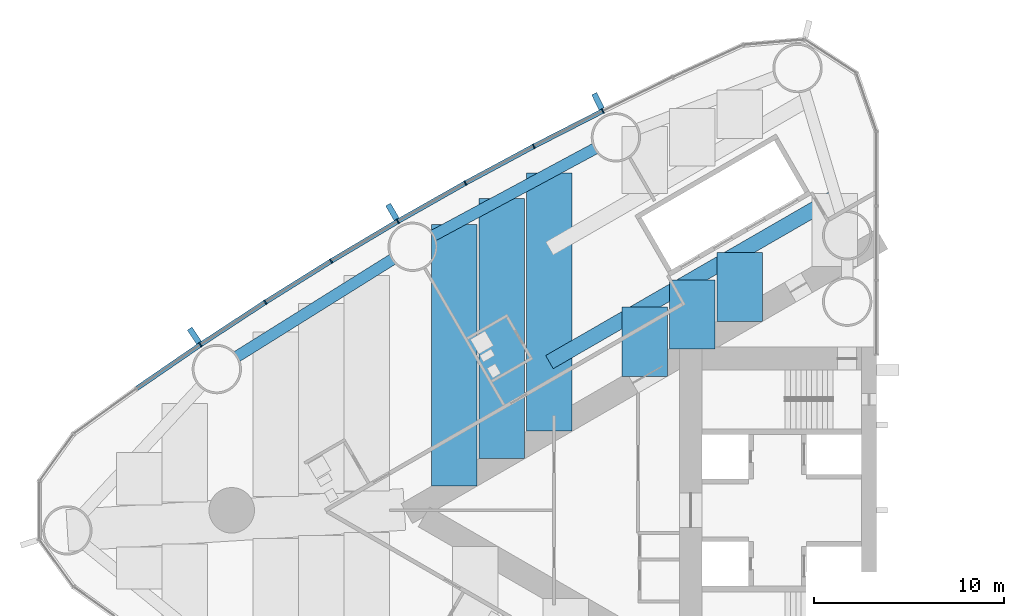
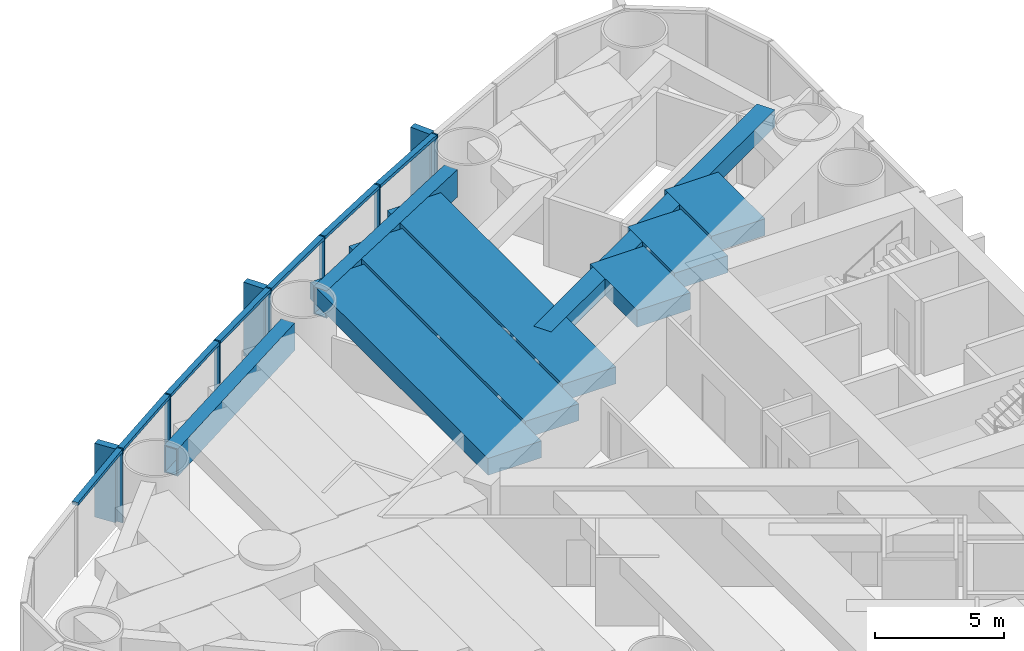
# One storey, part 4 of 19: 17 members, 9 beams, 1 element without a shape of its own.
"""IFC4 building model written with IfcOpenShell, lengths in metres."""

from ifc_helpers import new_model, si_unit, direction, frame, origin, origin_2d, place, context, subcontext, project, spatial, rectangle, hollow_rectangle, extrude, material, material_profile, profile_set, type_object, element, aggregate, save


model = new_model("IFC4")

# Units and contexts
model_context = context("Model", 3, precision=1e-05, world=origin(), true_north=direction((0.0, 1.0)))
body_context = subcontext(model_context, "Body", "Model", "MODEL_VIEW")
ifc_project = project(units=[si_unit("LENGTHUNIT", "METRE"), si_unit("AREAUNIT", "SQUARE_METRE"), si_unit("VOLUMEUNIT", "CUBIC_METRE"), si_unit("PLANEANGLEUNIT", "RADIAN"), si_unit("MASSUNIT", "GRAM", prefix="KILO")], contexts=[model_context])

# Site, building, storey
site_placement = place(None, origin())
site = spatial("IfcSite", under=ifc_project, at=site_placement, CompositionType="ELEMENT")
building_placement = place(site_placement, origin())
building = spatial("IfcBuilding", under=site, at=building_placement, Name="Lancet Gate Hotel", CompositionType="ELEMENT")
storey_placement = place(building_placement, frame((0.0, 0.0, 90.60009765625)))
storey = spatial("IfcBuildingStorey", under=building, at=storey_placement, Name="L23", CompositionType="ELEMENT", Elevation=90.60009765625)

# Curtain wall, members
ifc_material_1 = material(Name="Aluminium curtain wall", Category="aluminium")
curtain_wall_type = type_object("IfcCurtainWallType", Name="Tower unitised curtain wall", PredefinedType="USERDEFINED", material=ifc_material_1)
curtain_wall_placement = place(storey_placement, origin())
curtain_wall = element("IfcCurtainWall", 1, at=curtain_wall_placement, inside=storey, type_object=curtain_wall_type, Name="T1 L23 curtain wall 1", ObjectType="UNITISED CURTAIN WALL", PredefinedType="USERDEFINED")
ifc_material_2 = material(Name="Aluminium mullion", Category="aluminium")
ifc_material_profile_1 = material_profile(ifc_material_2, rectangle(XDim=0.06494140625, YDim=0.25, at=origin_2d()), Name="MULLION 65x250")
ifc_profile_set_1 = profile_set([ifc_material_profile_1], Name="Aluminium mullion")
member_type_1 = type_object("IfcMemberType", Name="Aluminium mullion 65x250", PredefinedType="MULLION", material=ifc_profile_set_1)
member_1_placement = place(storey_placement, frame((-41.935302734375, 21.053466796875, 0.0), z_axis=(0.0, 0.0, 1.0), x_axis=(-0.895339445458, -0.445384415317, 0.0)))
member_1 = element("IfcMember", 2, at=member_1_placement, type_object=member_type_1, Name="T1 L23 curtain wall 1 mullion 9", PredefinedType="MULLION", context=body_context, shape_type="SweptSolid", body=[
    extrude(rectangle(XDim=0.06494140625, YDim=0.25, at=origin_2d()), origin(), (0.0, 0.0, 1.0), 3.5),
])
member_2_placement = place(storey_placement, frame((-45.578857421875, 19.19189453125, 0.0), z_axis=(0.0, 0.0, 1.0), x_axis=(-0.885544335517, -0.46455487279, 0.0)))
member_2 = element("IfcMember", 3, at=member_2_placement, type_object=member_type_1, Name="T1 L23 curtain wall 1 mullion 10", PredefinedType="MULLION", context=body_context, shape_type="SweptSolid", body=[
    extrude(rectangle(XDim=0.06494140625, YDim=0.25, at=origin_2d()), origin(), (0.0, 0.0, 1.0), 3.5),
])
member_3_placement = place(storey_placement, frame((-49.181640625, 17.252197265625, 0.0), z_axis=(0.0, 0.0, 1.0), x_axis=(-0.875338819507, -0.48351003202, 0.0)))
member_3 = element("IfcMember", 4, at=member_3_placement, type_object=member_type_1, Name="T1 L23 curtain wall 1 mullion 11", PredefinedType="MULLION", context=body_context, shape_type="SweptSolid", body=[
    extrude(rectangle(XDim=0.06494140625, YDim=0.25, at=origin_2d()), origin(), (0.0, 0.0, 1.0), 3.5),
])
member_4_placement = place(storey_placement, frame((-52.74169921875, 15.2353515625, 0.0), z_axis=(0.0, 0.0, 1.0), x_axis=(-0.86472762718, -0.502241108226, 0.0)))
member_4 = element("IfcMember", 5, at=member_4_placement, type_object=member_type_1, Name="T1 L23 curtain wall 1 mullion 12", PredefinedType="MULLION", context=body_context, shape_type="SweptSolid", body=[
    extrude(rectangle(XDim=0.06494140625, YDim=0.25, at=origin_2d()), origin(), (0.0, 0.0, 1.0), 3.5),
])
member_5_placement = place(storey_placement, frame((-56.257568359375, 13.142333984375, 0.0), z_axis=(0.0, 0.0, 1.0), x_axis=(-0.853715676299, -0.52073942048, 0.0)))
member_5 = element("IfcMember", 6, at=member_5_placement, type_object=member_type_1, Name="T1 L23 curtain wall 1 mullion 13", PredefinedType="MULLION", context=body_context, shape_type="SweptSolid", body=[
    extrude(rectangle(XDim=0.06494140625, YDim=0.25, at=origin_2d()), origin(), (0.0, 0.0, 1.0), 3.5),
])
member_6_placement = place(storey_placement, frame((-59.7275390625, 10.974365234375, 0.0), z_axis=(0.0, 0.0, 1.0), x_axis=(-0.84230807036, -0.538996395727, 0.0)))
member_6 = element("IfcMember", 7, at=member_6_placement, type_object=member_type_1, Name="T1 L23 curtain wall 1 mullion 14", PredefinedType="MULLION", context=body_context, shape_type="SweptSolid", body=[
    extrude(rectangle(XDim=0.06494140625, YDim=0.25, at=origin_2d()), origin(), (0.0, 0.0, 1.0), 3.5),
])
member_7_placement = place(storey_placement, frame((-63.14990234375, 8.73193359375, 0.0), z_axis=(0.0, 0.0, 1.0), x_axis=(-0.830510096234, -0.557003572747, 0.0)))
member_7 = element("IfcMember", 8, at=member_7_placement, type_object=member_type_1, Name="T1 L23 curtain wall 1 mullion 15", PredefinedType="MULLION", context=body_context, shape_type="SweptSolid", body=[
    extrude(rectangle(XDim=0.06494140625, YDim=0.25, at=origin_2d()), origin(), (0.0, 0.0, 1.0), 3.5),
])
ifc_material_3 = material(Name="Aluminium transom", Category="aluminium")
ifc_material_profile_2 = material_profile(ifc_material_3, rectangle(XDim=0.25, YDim=0.14990234375, at=origin_2d()), Name="TRANSOM 250x150")
ifc_profile_set_2 = profile_set([ifc_material_profile_2], Name="Aluminium transom")
member_type_2 = type_object("IfcMemberType", Name="Aluminium transom 250x150", PredefinedType="USERDEFINED", material=ifc_profile_set_2)
member_8_placement = place(storey_placement, frame((-41.96435546875, 21.038818359375, 3.4248046875), z_axis=(-0.89047617483, -0.455029869415, 0.0), x_axis=(0.455029869415, -0.89047617483, 0.0)))
member_8 = element("IfcMember", 9, at=member_8_placement, type_object=member_type_2, Name="T1 L23 curtain wall 1 transom 9", ObjectType="TRANSOM", PredefinedType="USERDEFINED", context=body_context, shape_type="SweptSolid", body=[
    extrude(rectangle(XDim=0.25, YDim=0.14990234375, at=origin_2d()), origin(), (0.0, 0.0, 1.0), 4.026611328125),
])
member_9_placement = place(storey_placement, frame((-45.607421875, 19.176513671875, 3.4248046875), z_axis=(-0.880498353192, -0.474049206335, 0.0), x_axis=(0.474049206335, -0.880498353192, 0.0)))
member_9 = element("IfcMember", 10, at=member_9_placement, type_object=member_type_2, Name="T1 L23 curtain wall 1 transom 10", ObjectType="TRANSOM", PredefinedType="USERDEFINED", context=body_context, shape_type="SweptSolid", body=[
    extrude(rectangle(XDim=0.25, YDim=0.14990234375, at=origin_2d()), origin(), (0.0, 0.0, 1.0), 4.02685546875),
])
member_10_placement = place(storey_placement, frame((-49.2099609375, 17.236083984375, 3.4248046875), z_axis=(-0.870091531013, -0.492890178091, 0.0), x_axis=(0.492890178091, -0.870091531013, 0.0)))
member_10 = element("IfcMember", 11, at=member_10_placement, type_object=member_type_2, Name="T1 L23 curtain wall 1 transom 11", ObjectType="TRANSOM", PredefinedType="USERDEFINED", context=body_context, shape_type="SweptSolid", body=[
    extrude(rectangle(XDim=0.25, YDim=0.14990234375, at=origin_2d()), origin(), (0.0, 0.0, 1.0), 4.026611328125),
])
member_11_placement = place(storey_placement, frame((-52.76953125, 15.21875, 3.4248046875), z_axis=(-0.859285270342, -0.511496651186, 0.0), x_axis=(0.511496651186, -0.859285270342, 0.0)))
member_11 = element("IfcMember", 12, at=member_11_placement, type_object=member_type_2, Name="T1 L23 curtain wall 1 transom 12", ObjectType="TRANSOM", PredefinedType="USERDEFINED", context=body_context, shape_type="SweptSolid", body=[
    extrude(rectangle(XDim=0.25, YDim=0.14990234375, at=origin_2d()), origin(), (0.0, 0.0, 1.0), 4.026611328125),
])
member_12_placement = place(storey_placement, frame((-56.28515625, 13.125244140625, 3.4248046875), z_axis=(-0.848049393821, -0.529917187531, 0.0), x_axis=(0.529917187531, -0.848049393821, 0.0)))
member_12 = element("IfcMember", 13, at=member_12_placement, type_object=member_type_2, Name="T1 L23 curtain wall 1 transom 13", ObjectType="TRANSOM", PredefinedType="USERDEFINED", context=body_context, shape_type="SweptSolid", body=[
    extrude(rectangle(XDim=0.25, YDim=0.14990234375, at=origin_2d()), origin(), (0.0, 0.0, 1.0), 4.026611328125),
])
member_13_placement = place(storey_placement, frame((-59.754638671875, 10.95654296875, 3.4248046875), z_axis=(-0.83645442085, -0.548036496815, 0.0), x_axis=(0.548036496815, -0.83645442085, 0.0)))
member_13 = element("IfcMember", 14, at=member_13_placement, type_object=member_type_2, Name="T1 L23 curtain wall 1 transom 14", ObjectType="TRANSOM", PredefinedType="USERDEFINED", context=body_context, shape_type="SweptSolid", body=[
    extrude(rectangle(XDim=0.25, YDim=0.14990234375, at=origin_2d()), origin(), (0.0, 0.0, 1.0), 4.026611328125),
])
member_14_placement = place(storey_placement, frame((-63.1767578125, 8.713623046875, 3.4248046875), z_axis=(-0.824455665247, -0.565926546508, 0.0), x_axis=(0.565926546508, -0.824455665247, 0.0)))
member_14 = element("IfcMember", 15, at=member_14_placement, type_object=member_type_2, Name="T1 L23 curtain wall 1 transom 15", ObjectType="TRANSOM", PredefinedType="USERDEFINED", context=body_context, shape_type="SweptSolid", body=[
    extrude(rectangle(XDim=0.25, YDim=0.14990234375, at=origin_2d()), origin(), (0.0, 0.0, 1.0), 4.026611328125),
])

# Beams
ifc_material_4 = material(Name="Steel S460QL", Category="steel")
ifc_material_profile_3 = material_profile(ifc_material_4, hollow_rectangle(XDim=0.60009765625, YDim=1.300048828125, WallThickness=0.050048828125, at=origin_2d()), Name="BOX 1300x600x50")
ifc_profile_set_3 = profile_set([ifc_material_profile_3], Name="Steel S460QL")
beam_type_1 = type_object("IfcBeamType", Name="Edge beam BOX 1300x600x50", PredefinedType="SPANDREL", material=ifc_profile_set_3)
beam_1_placement = place(storey_placement, frame((-42.345703125, 19.0732421875, 2.599853515625), z_axis=(-0.880484066736, -0.474075741021, 0.0), x_axis=(0.474075741021, -0.880484066736, 0.0)))
element("IfcBeam", 16, at=beam_1_placement, inside=storey, type_object=beam_type_1, Name="T1 edge beam EB2 L23", PredefinedType="SPANDREL", context=body_context, shape_type="SweptSolid", body=[
    extrude(hollow_rectangle(XDim=0.60009765625, YDim=1.300048828125, WallThickness=0.050048828125, at=origin_2d()), origin(), (0.0, 0.0, 1.0), 9.6728515625),
])
beam_2_placement = place(storey_placement, frame((-53.023193359375, 13.232666015625, 2.599853515625), z_axis=(-0.848062104807, -0.529896845047, 0.0), x_axis=(0.529896845047, -0.848062104807, 0.0)))
element("IfcBeam", 17, at=beam_2_placement, inside=storey, type_object=beam_type_1, Name="T1 edge beam EB2 L23", PredefinedType="SPANDREL", context=body_context, shape_type="SweptSolid", body=[
    extrude(hollow_rectangle(XDim=0.60009765625, YDim=1.300048828125, WallThickness=0.050048828125, at=origin_2d()), origin(), (0.0, 0.0, 1.0), 9.673095703125),
])

# Member
ifc_material_5 = material(Name="Precast concrete C50/60", Category="concrete")
ifc_material_profile_4 = material_profile(ifc_material_5, rectangle(XDim=0.300048828125, YDim=0.89990234375, at=origin_2d()), Name="FIN 300x900")
ifc_profile_set_4 = profile_set([ifc_material_profile_4], Name="Precast concrete C50/60")
member_type_3 = type_object("IfcMemberType", Name="Exposed concrete fin 300x900", PredefinedType="USERDEFINED", material=ifc_profile_set_4)
member_15_placement = place(storey_placement, frame((-42.19140625, 21.568359375, 0.0), z_axis=(0.0, 0.0, 1.0), x_axis=(-0.895339445458, -0.445384415317, 0.0)))
member_15 = element("IfcMember", 18, at=member_15_placement, type_object=member_type_3, Name="T1 L23 curtain wall 1 fin 9", ObjectType="FIN", PredefinedType="USERDEFINED", context=body_context, shape_type="SweptSolid", body=[
    extrude(rectangle(XDim=0.300048828125, YDim=0.89990234375, at=origin_2d()), origin(), (0.0, 0.0, 1.0), 3.5),
])

member_16_placement = place(storey_placement, frame((-53.030517578125, 15.732666015625, 0.0), z_axis=(0.0, 0.0, 1.0), x_axis=(-0.86472762718, -0.502241108226, 0.0)))
member_16 = element("IfcMember", 19, at=member_16_placement, type_object=member_type_3, Name="T1 L23 curtain wall 1 fin 12", ObjectType="FIN", PredefinedType="USERDEFINED", context=body_context, shape_type="SweptSolid", body=[
    extrude(rectangle(XDim=0.300048828125, YDim=0.89990234375, at=origin_2d()), origin(), (0.0, 0.0, 1.0), 3.5),
])

member_17_placement = place(storey_placement, frame((-63.47021484375, 9.20947265625, 0.0), z_axis=(0.0, 0.0, 1.0), x_axis=(-0.830510096234, -0.557003572747, 0.0)))
member_17 = element("IfcMember", 20, at=member_17_placement, type_object=member_type_3, Name="T1 L23 curtain wall 1 fin 15", ObjectType="FIN", PredefinedType="USERDEFINED", context=body_context, shape_type="SweptSolid", body=[
    extrude(rectangle(XDim=0.300048828125, YDim=0.89990234375, at=origin_2d()), origin(), (0.0, 0.0, 1.0), 3.5),
])

aggregate(curtain_wall, [member_1, member_15, member_2, member_3, member_4, member_16, member_5, member_6, member_7, member_17, member_8, member_9, member_10, member_11, member_12, member_13, member_14])

# Beams
ifc_material_6 = material(Name="Concrete C50/60", Category="concrete")
ifc_material_profile_5 = material_profile(ifc_material_6, rectangle(XDim=2.39990234375, YDim=0.800048828125, at=origin_2d()), Name="RC 2400x800")
ifc_profile_set_5 = profile_set([ifc_material_profile_5], Name="Concrete C50/60")
beam_type_2 = type_object("IfcBeamType", Name="Floor beam RC 2400x800", PredefinedType="BEAM", material=ifc_profile_set_5)
beam_3_placement = place(storey_placement, frame((-44.747802734375, 17.77978515625, 2.849853515625), z_axis=(0.0, -1.0, 0.0), x_axis=(1.0, 0.0, 0.0)))
element("IfcBeam", 21, at=beam_3_placement, inside=storey, type_object=beam_type_2, Name="T1 floor beam F09S L23", PredefinedType="BEAM", context=body_context, shape_type="SweptSolid", body=[
    extrude(rectangle(XDim=2.39990234375, YDim=0.800048828125, at=origin_2d()), origin(), (0.0, 0.0, 1.0), 13.611083984375),
])
beam_4_placement = place(storey_placement, frame((-47.254638671875, 16.43017578125, 2.849853515625), z_axis=(0.0, -1.0, 0.0), x_axis=(1.0, 0.0, 0.0)))
element("IfcBeam", 22, at=beam_4_placement, inside=storey, type_object=beam_type_2, Name="T1 floor beam F10S L23", PredefinedType="BEAM", context=body_context, shape_type="SweptSolid", body=[
    extrude(rectangle(XDim=2.39990234375, YDim=0.800048828125, at=origin_2d()), origin(), (0.0, 0.0, 1.0), 13.708740234375),
])
beam_5_placement = place(storey_placement, frame((-49.761474609375, 15.08056640625, 2.849853515625), z_axis=(0.0, -1.0, 0.0), x_axis=(1.0, 0.0, 0.0)))
element("IfcBeam", 23, at=beam_5_placement, inside=storey, type_object=beam_type_2, Name="T1 floor beam F12S L23", PredefinedType="BEAM", context=body_context, shape_type="SweptSolid", body=[
    extrude(rectangle(XDim=2.39990234375, YDim=0.800048828125, at=origin_2d()), origin(), (0.0, 0.0, 1.0), 13.806396484375),
])
beam_6_placement = place(storey_placement, frame((-34.720458984375, 13.603759765625, 2.849853515625), z_axis=(0.0, -1.0, 0.0), x_axis=(1.0, 0.0, 0.0)))
element("IfcBeam", 24, at=beam_6_placement, inside=storey, type_object=beam_type_2, Name="T1 floor beam F04SB L23", PredefinedType="BEAM", context=body_context, shape_type="SweptSolid", body=[
    extrude(rectangle(XDim=2.39990234375, YDim=0.800048828125, at=origin_2d()), origin(), (0.0, 0.0, 1.0), 3.645751953125),
])
beam_7_placement = place(storey_placement, frame((-37.227294921875, 12.15625, 2.849853515625), z_axis=(0.0, -1.0, 0.0), x_axis=(1.0, 0.0, 0.0)))
element("IfcBeam", 25, at=beam_7_placement, inside=storey, type_object=beam_type_2, Name="T1 floor beam F05SB L23", PredefinedType="BEAM", context=body_context, shape_type="SweptSolid", body=[
    extrude(rectangle(XDim=2.39990234375, YDim=0.800048828125, at=origin_2d()), origin(), (0.0, 0.0, 1.0), 3.6455078125),
])
beam_8_placement = place(storey_placement, frame((-39.734130859375, 10.708740234375, 2.849853515625), z_axis=(0.0, -1.0, 0.0), x_axis=(1.0, 0.0, 0.0)))
element("IfcBeam", 26, at=beam_8_placement, inside=storey, type_object=beam_type_2, Name="T1 floor beam F07SB L23", PredefinedType="BEAM", context=body_context, shape_type="SweptSolid", body=[
    extrude(rectangle(XDim=2.39990234375, YDim=0.800048828125, at=origin_2d()), origin(), (0.0, 0.0, 1.0), 3.645263671875),
])
ifc_material_7 = material(Name="Steel S460QL", Category="steel")
ifc_material_profile_6 = material_profile(ifc_material_7, hollow_rectangle(XDim=0.800048828125, YDim=0.800048828125, WallThickness=0.080078125, at=origin_2d()), Name="BOX 800x800x80")
ifc_profile_set_6 = profile_set([ifc_material_profile_6], Name="Steel S460QL")
beam_type_3 = type_object("IfcBeamType", Name="Trimmer beam BOX 800x800x80", PredefinedType="BEAM", material=ifc_profile_set_6)
beam_9_placement = place(storey_placement, frame((-29.706787109375, 16.49853515625, 2.849853515625), z_axis=(-0.866003462672, -0.500038001195, 0.0), x_axis=(0.500038001195, -0.866003462672, 0.0)))
element("IfcBeam", 27, at=beam_9_placement, inside=storey, type_object=beam_type_3, Name="T1 trimmer beam TR02S L23", PredefinedType="BEAM", context=body_context, shape_type="SweptSolid", body=[
    extrude(hollow_rectangle(XDim=0.800048828125, YDim=0.800048828125, WallThickness=0.080078125, at=origin_2d()), origin(), (0.0, 0.0, 1.0), 17.368408203125),
])

save(model, "model.ifc")
